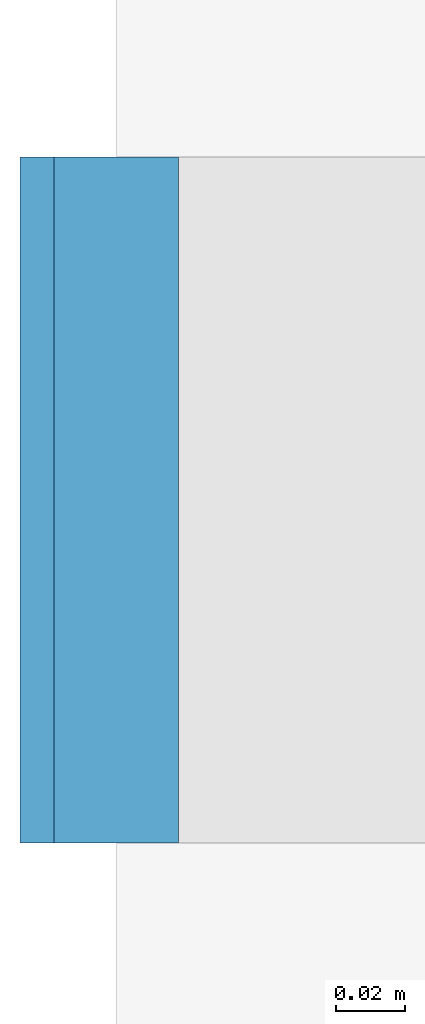
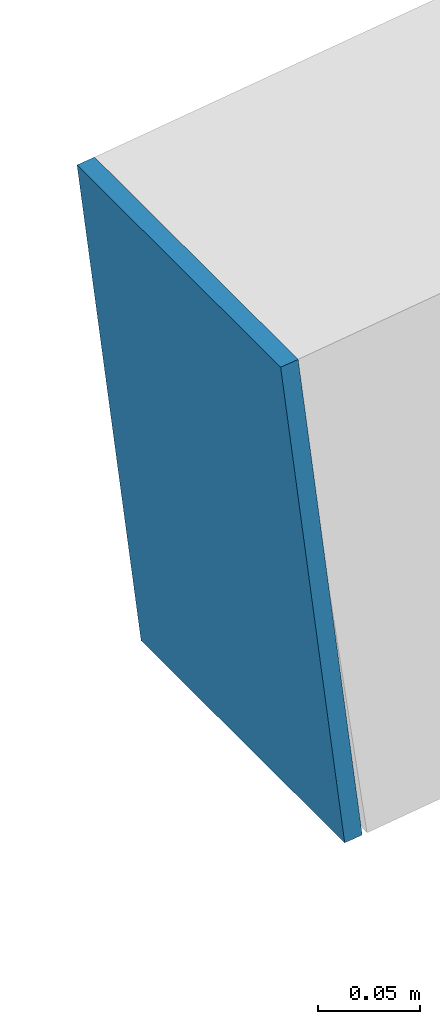
# One storey, part 29 of 52: 1 discrete accessory.
"""IFC4 building model written with IfcOpenShell, lengths in metres."""

from ifc_helpers import new_model, si_unit, direction, frame, origin, origin_2d, place, context, subcontext, project, spatial, rectangle, extrude, material, material_profile, profile_set, type_object, element, save


model = new_model("IFC4")

# Units and contexts
model_context = context("Model", 3, precision=1e-05, world=origin(), true_north=direction((0.0, 1.0)))
body_context = subcontext(model_context, "Body", "Model", "MODEL_VIEW")
ifc_project = project(units=[si_unit("LENGTHUNIT", "METRE"), si_unit("AREAUNIT", "SQUARE_METRE"), si_unit("VOLUMEUNIT", "CUBIC_METRE"), si_unit("PLANEANGLEUNIT", "RADIAN"), si_unit("MASSUNIT", "GRAM", prefix="KILO")], contexts=[model_context])

# Site, building, storey
site_placement = place(None, origin())
site = spatial("IfcSite", under=ifc_project, at=site_placement, CompositionType="ELEMENT")
building_placement = place(site_placement, origin())
building = spatial("IfcBuilding", under=site, at=building_placement, Name="Cour d'Honneur Mobility Palace", CompositionType="ELEMENT")
storey_placement = place(building_placement, frame((0.0, 0.0, 23.0)))
storey = spatial("IfcBuildingStorey", under=building, at=storey_placement, Name="L06", CompositionType="ELEMENT", Elevation=23.0)

# Discrete accessory
ifc_material = material(Name="Steel S355", Category="steel")
ifc_material_profile = material_profile(ifc_material, rectangle(XDim=0.199951171875, YDim=0.300048828125, at=origin_2d()), Name="PL 300x200x10")
ifc_profile_set = profile_set([ifc_material_profile], Name="Steel S355")
discrete_accessory_type = type_object("IfcDiscreteAccessoryType", Name="End cap plate RHS 300x200x12.5", PredefinedType="USERDEFINED", material=ifc_profile_set)
discrete_accessory_placement = place(storey_placement, frame((-1.385009765625, 77.39990234375, 0.240234375), z_axis=(0.992645877551, 0.0, 0.121054375311), x_axis=(0.0, 1.0, 0.0)))
element("IfcDiscreteAccessory", 1, at=discrete_accessory_placement, inside=storey, type_object=discrete_accessory_type, Name="End cap plate EC-TF-C2W-1", ObjectType="END CAP PLATE", PredefinedType="USERDEFINED", context=body_context, shape_type="SweptSolid", body=[
    extrude(rectangle(XDim=0.199951171875, YDim=0.300048828125, at=origin_2d()), origin(), (0.0, 0.0, 1.0), 0.010009765625),
])

save(model, "model.ifc")
